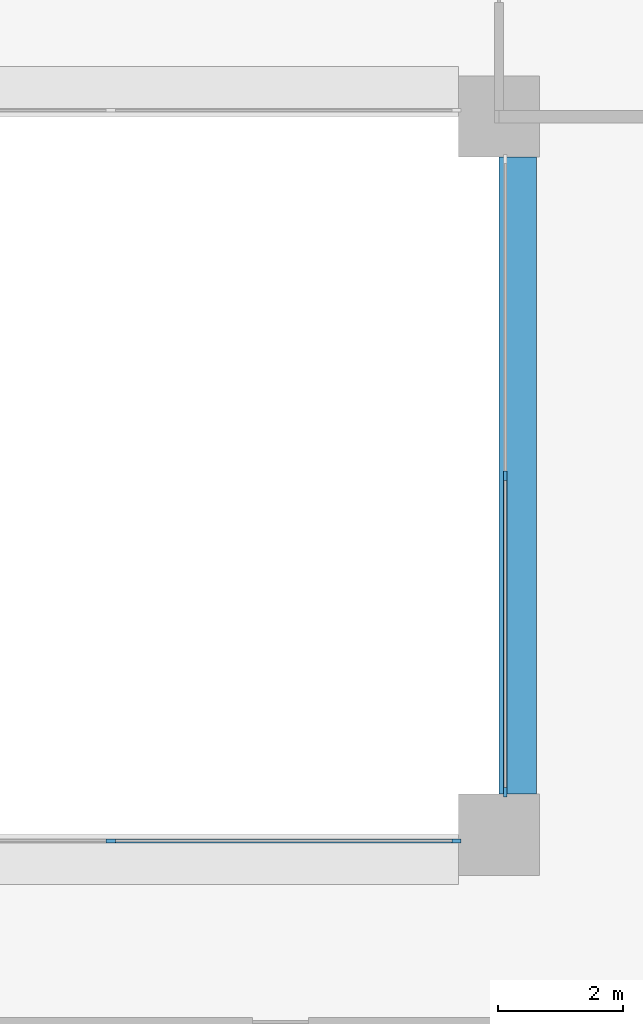
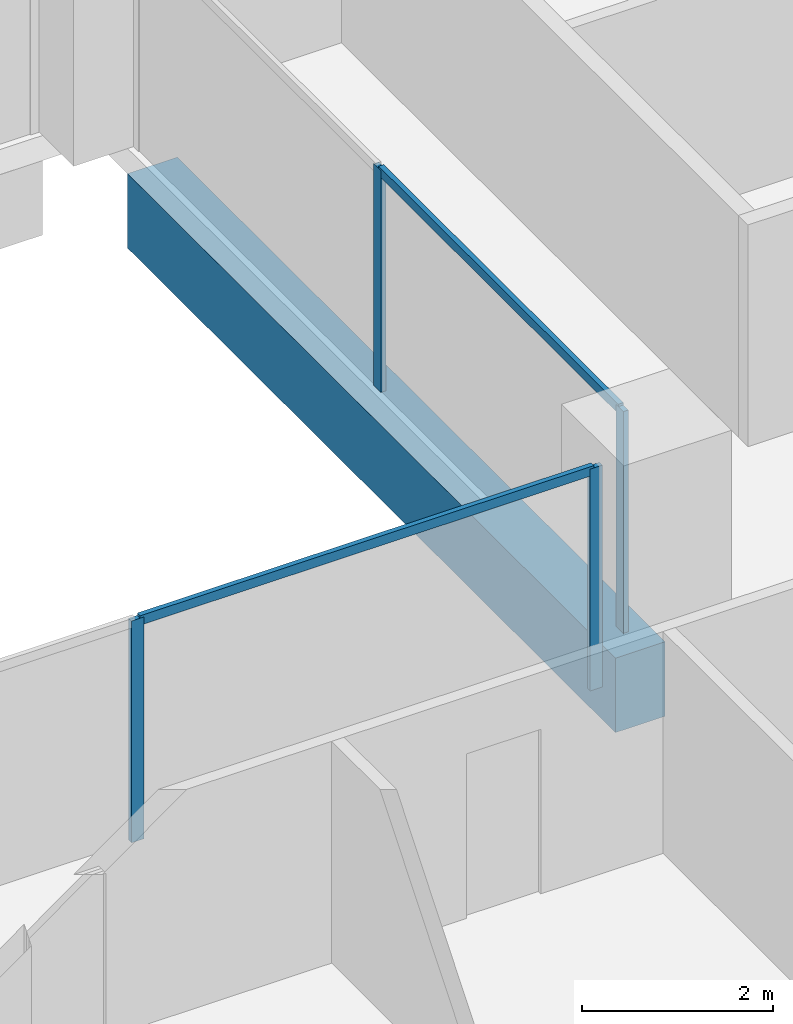
# One storey, part 4 of 16: 6 members, 1 beam, 2 elements without a shape of their own.
"""IFC4 building model written with IfcOpenShell, lengths in metres."""

from ifc_helpers import new_model, si_unit, direction, frame, origin, origin_2d, place, context, subcontext, project, spatial, rectangle, extrude, material, layer, layer_set, material_profile, profile_set, type_object, element, aggregate, save


model = new_model("IFC4")

# Units and contexts
model_context = context("Model", 3, precision=1e-05, world=origin(), true_north=direction((0.0, 1.0)))
body_context = subcontext(model_context, "Body", "Model", "MODEL_VIEW")
ifc_project = project(units=[si_unit("LENGTHUNIT", "METRE"), si_unit("AREAUNIT", "SQUARE_METRE"), si_unit("VOLUMEUNIT", "CUBIC_METRE"), si_unit("PLANEANGLEUNIT", "RADIAN"), si_unit("MASSUNIT", "GRAM", prefix="KILO")], contexts=[model_context])

# Site, building, storey
site_placement = place(None, origin())
site = spatial("IfcSite", under=ifc_project, at=site_placement, CompositionType="ELEMENT")
building_placement = place(site_placement, origin())
building = spatial("IfcBuilding", under=site, at=building_placement, Name="Brigalow Station Residences", CompositionType="ELEMENT")
storey_placement = place(building_placement, frame((0.0, 0.0, 118.199951171875)))
storey = spatial("IfcBuildingStorey", under=building, at=storey_placement, Name="L34", CompositionType="ELEMENT", Elevation=118.199951171875)

# Beam
ifc_material_1 = material(Name="Concrete C65", Category="concrete")
ifc_material_profile_1 = material_profile(ifc_material_1, rectangle(XDim=0.60009765625, YDim=0.949951171875, at=origin_2d()), Name="RC600x950")
ifc_profile_set_1 = profile_set([ifc_material_profile_1], Name="Concrete C65")
beam_type = type_object("IfcBeamType", Name="ATRIUM EDGE GIRDER 600x950 C65", PredefinedType="BEAM", material=ifc_profile_set_1)
beam_placement = place(storey_placement, frame((45.300048828125, 24.64990234375, -0.794921875), z_axis=(0.0, 1.0, 0.0), x_axis=(-1.0, 0.0, 0.0)))
element("IfcBeam", 1, at=beam_placement, inside=storey, type_object=beam_type, Name="ATRIUM EDGE GIRDER 5 L34", PredefinedType="BEAM", context=body_context, shape_type="SweptSolid", body=[
    extrude(rectangle(XDim=0.60009765625, YDim=0.949951171875, at=origin_2d()), origin(), (0.0, 0.0, 1.0), 10.2001953125),
])

# Curtain wall, members
ifc_material_2 = material(Name="Aluminium", Category="aluminium")
ifc_layer = layer(ifc_material_2, 0.14990234375)
ifc_layer_set = layer_set([ifc_layer], Name="ATRIUM FIRE-RATED GLAZING CURTAIN WALL")
curtain_wall_type = type_object("IfcCurtainWallType", Name="ATRIUM FIRE-RATED GLAZING CURTAIN WALL", PredefinedType="NOTDEFINED", material=ifc_layer_set)
curtain_wall_1_placement = place(storey_placement, origin())
curtain_wall_1 = element("IfcCurtainWall", 2, at=curtain_wall_1_placement, inside=storey, type_object=curtain_wall_type, Name="L34/cw/atrium-S", PredefinedType="NOTDEFINED")
ifc_material_3 = material(Name="Aluminium", Category="aluminium")
ifc_material_profile_2 = material_profile(ifc_material_3, rectangle(XDim=0.06005859375, YDim=0.14990234375, at=origin_2d()), Name="ATRIUM FIRE-RATED GLAZING MULLION 60x150")
ifc_profile_set_2 = profile_set([ifc_material_profile_2], Name="Aluminium")
member_type_1 = type_object("IfcMemberType", Name="ATRIUM FIRE-RATED GLAZING MULLION 60x150", PredefinedType="MULLION", material=ifc_profile_set_2)
member_1_placement = place(storey_placement, frame((38.783203125, 23.89990234375, 0.0), z_axis=(0.0, 0.0, 1.0), x_axis=(0.0, 1.0, 0.0)))
member_1 = element("IfcMember", 3, at=member_1_placement, type_object=member_type_1, Name="L34/cw/atrium-S/M02", PredefinedType="MULLION", context=body_context, shape_type="SweptSolid", body=[
    extrude(rectangle(XDim=0.06005859375, YDim=0.14990234375, at=origin_2d()), origin(), (0.0, 0.0, 1.0), 2.830078125),
])
member_2_placement = place(storey_placement, frame((44.320068359375, 23.89990234375, 0.0), z_axis=(0.0, 0.0, 1.0), x_axis=(0.0, 1.0, 0.0)))
member_2 = element("IfcMember", 4, at=member_2_placement, type_object=member_type_1, Name="L34/cw/atrium-S/M03", PredefinedType="MULLION", context=body_context, shape_type="SweptSolid", body=[
    extrude(rectangle(XDim=0.06005859375, YDim=0.14990234375, at=origin_2d()), origin(), (0.0, 0.0, 1.0), 2.830078125),
])

curtain_wall_2_placement = place(storey_placement, origin())
curtain_wall_2 = element("IfcCurtainWall", 5, at=curtain_wall_2_placement, inside=storey, type_object=curtain_wall_type, Name="L34/cw/atrium-E", PredefinedType="NOTDEFINED")
member_3_placement = place(storey_placement, frame((45.10009765625, 24.679931640625, 0.0), z_axis=(0.0, 0.0, 1.0), x_axis=(-1.0, 0.0, 0.0)))
member_3 = element("IfcMember", 6, at=member_3_placement, type_object=member_type_1, Name="L34/cw/atrium-E/M00", PredefinedType="MULLION", context=body_context, shape_type="SweptSolid", body=[
    extrude(rectangle(XDim=0.06005859375, YDim=0.14990234375, at=origin_2d()), origin(), (0.0, 0.0, 1.0), 2.830078125),
])
member_4_placement = place(storey_placement, frame((45.10009765625, 29.75, 0.0), z_axis=(0.0, 0.0, 1.0), x_axis=(-1.0, 0.0, 0.0)))
member_4 = element("IfcMember", 7, at=member_4_placement, type_object=member_type_1, Name="L34/cw/atrium-E/M01", PredefinedType="MULLION", context=body_context, shape_type="SweptSolid", body=[
    extrude(rectangle(XDim=0.06005859375, YDim=0.14990234375, at=origin_2d()), origin(), (0.0, 0.0, 1.0), 2.830078125),
])

# Member
ifc_material_4 = material(Name="Aluminium", Category="aluminium")
ifc_material_profile_3 = material_profile(ifc_material_4, rectangle(XDim=0.06005859375, YDim=0.1201171875, at=origin_2d()), Name="ATRIUM FIRE-RATED GLAZING TRANSOM 60x120")
ifc_profile_set_3 = profile_set([ifc_material_profile_3], Name="Aluminium")
member_type_2 = type_object("IfcMemberType", Name="ATRIUM FIRE-RATED GLAZING TRANSOM 60x120", PredefinedType="USERDEFINED", material=ifc_profile_set_3)
member_5_placement = place(storey_placement, frame((38.813232421875, 23.89990234375, 2.800048828125), z_axis=(1.0, 0.0, 0.0), x_axis=(0.0, 1.0, 0.0)))
member_5 = element("IfcMember", 8, at=member_5_placement, type_object=member_type_2, Name="L34/cw/atrium-S/T02-00", ObjectType="TRANSOM", PredefinedType="USERDEFINED", context=body_context, shape_type="SweptSolid", body=[
    extrude(rectangle(XDim=0.06005859375, YDim=0.1201171875, at=origin_2d()), origin(), (0.0, 0.0, 1.0), 5.476806640625),
])

aggregate(curtain_wall_1, [member_1, member_2, member_5])

member_6_placement = place(storey_placement, frame((45.10009765625, 24.7099609375, 2.800048828125), z_axis=(0.0, 1.0, 0.0), x_axis=(-1.0, 0.0, 0.0)))
member_6 = element("IfcMember", 9, at=member_6_placement, type_object=member_type_2, Name="L34/cw/atrium-E/T00-00", ObjectType="TRANSOM", PredefinedType="USERDEFINED", context=body_context, shape_type="SweptSolid", body=[
    extrude(rectangle(XDim=0.06005859375, YDim=0.1201171875, at=origin_2d()), origin(), (0.0, 0.0, 1.0), 5.010009765625),
])

aggregate(curtain_wall_2, [member_3, member_4, member_6])

save(model, "model.ifc")
